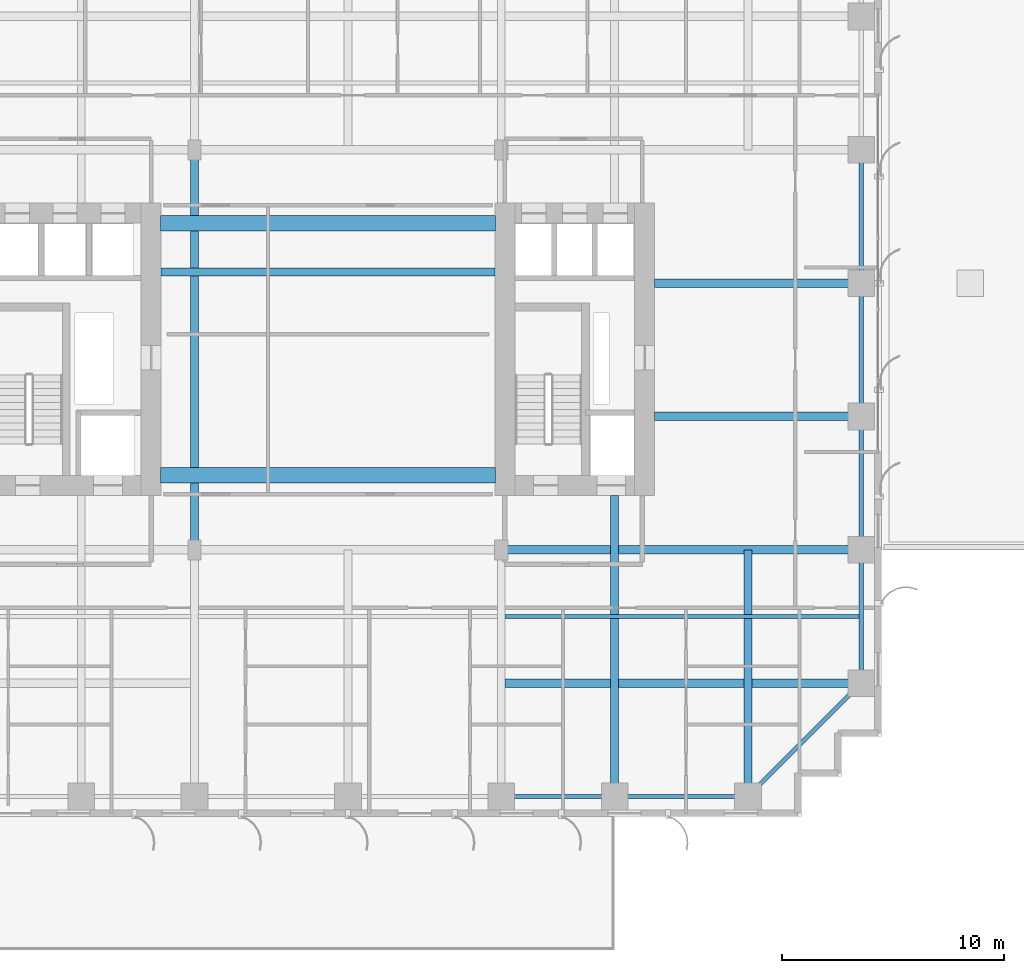
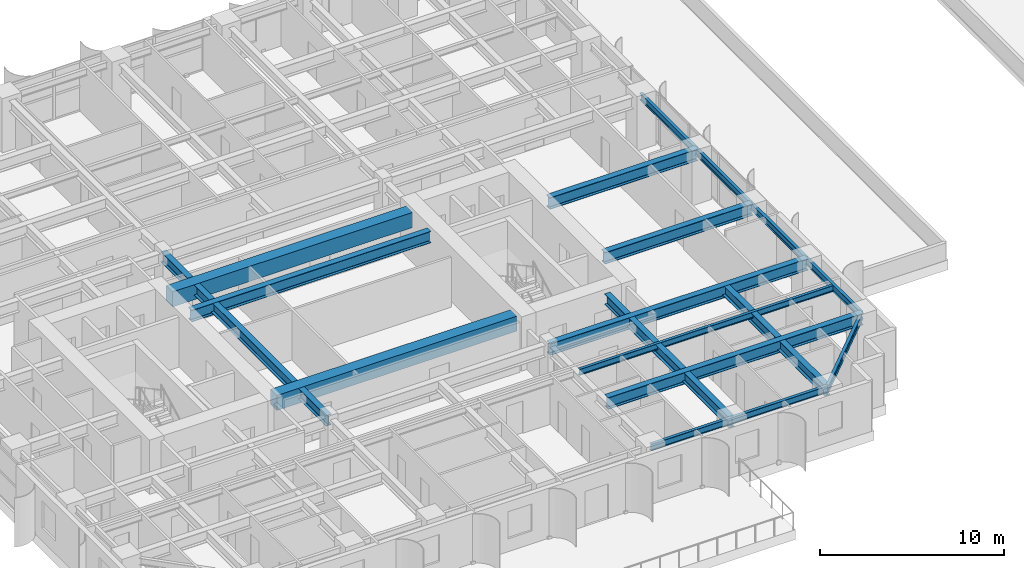
# One storey, part 3 of 21: 18 beams.
"""IFC4 building model written with IfcOpenShell, lengths in metres."""

import ifcopenshell
import ifcopenshell.guid

model = None  # the IFC model being written
_history = None  # IfcOwnerHistory: only IFC2X3 demands one
_inside = {}  # id of a spatial element -> (the spatial element, [elements in it])
_under = {}  # id of a project, library or spatial element -> (it, [spatial elements below it])
_declared = {}  # id of a project -> (the project, [libraries it declares])
_typed = {}  # id of a type object -> (the type object, [elements of that type])
_made_of = {}  # id of a material, layer set ... -> (it, [elements and type objects made of it])


def new_model(schema):
    """Start an empty IFC model of exactly this schema.

    Asked for "IFC4X3", IfcOpenShell would pick the latest addendum, in which some entities
    have other attributes; the version numbers below select the first issue.
    IFC2X3 requires an IfcOwnerHistory on every rooted entity: one is made here for all.
    """
    global model, _history
    if schema == "IFC4X3":
        model = ifcopenshell.file(schema_version=(4, 3, 0, 0))
    else:
        model = ifcopenshell.file(schema=schema)
    _inside.clear()
    _under.clear()
    _declared.clear()
    _typed.clear()
    _made_of.clear()
    _history = None
    if model.schema == "IFC2X3":
        org = make("IfcOrganization", Name="unknown")
        user = make(
            "IfcPersonAndOrganization",
            ThePerson=make("IfcPerson", FamilyName="unknown"),
            TheOrganization=org,
        )
        app = make(
            "IfcApplication",
            ApplicationDeveloper=org,
            Version="unknown",
            ApplicationFullName="unknown",
            ApplicationIdentifier="unknown",
        )
        _history = make(
            "IfcOwnerHistory",
            OwningUser=user,
            OwningApplication=app,
            ChangeAction="ADDED",
            CreationDate=0,
        )
    return model


def make(cls, **values):
    """One entity of the class cls with the attributes given. An attribute that is None is left unset."""
    return model.create_entity(
        cls, **{name: value for name, value in values.items() if value is not None}
    )


def rooted(cls, **values):
    """An entity with a GlobalId (a new one), such as an element, a storey or a relation."""
    return make(cls, GlobalId=ifcopenshell.guid.new(), OwnerHistory=_history, **values)


def si_unit(unit_type, name, prefix=None):
    """IfcSIUnit, for example si_unit("LENGTHUNIT", "METRE", prefix="MILLI")."""
    return make("IfcSIUnit", UnitType=unit_type, Prefix=prefix, Name=name)


def assignment(units):
    """IfcUnitAssignment: the units of a project."""
    return None if units is None else make("IfcUnitAssignment", Units=units)


def point(xyz):
    """IfcCartesianPoint."""
    return None if xyz is None else make("IfcCartesianPoint", Coordinates=xyz)


def direction(xyz):
    """IfcDirection."""
    return None if xyz is None else make("IfcDirection", DirectionRatios=xyz)


def frame(location, z_axis=None, x_axis=None):
    """IfcAxis2Placement3D, a coordinate frame: its origin and axes. An axis left out is left unset."""
    return make(
        "IfcAxis2Placement3D",
        Location=point(location),
        Axis=direction(z_axis),
        RefDirection=direction(x_axis),
    )


def frame_2d(location, x_axis=None):
    """IfcAxis2Placement2D, a coordinate frame in the plane: its origin and x axis."""
    return make(
        "IfcAxis2Placement2D", Location=point(location), RefDirection=direction(x_axis)
    )


def origin():
    """The frame at (0, 0, 0) with its axes left unset."""
    return frame((0.0, 0.0, 0.0))


def origin_2d():
    """The frame at (0, 0) in the plane with its x axis left unset."""
    return frame_2d((0.0, 0.0))


def place(relative_to, where):
    """IfcLocalPlacement: puts the frame where relative to a parent placement (None: the world)."""
    return make(
        "IfcLocalPlacement", PlacementRelTo=relative_to, RelativePlacement=where
    )


def context(
    kind, dimensions, precision=None, world=None, true_north=None, identifier=None
):
    """IfcGeometricRepresentationContext, for example the 3D "Model" context."""
    return make(
        "IfcGeometricRepresentationContext",
        ContextIdentifier=identifier,
        ContextType=kind,
        CoordinateSpaceDimension=dimensions,
        Precision=precision,
        WorldCoordinateSystem=world,
        TrueNorth=true_north,
    )


def subcontext(parent, identifier, kind, view, scale=None):
    """IfcGeometricRepresentationSubContext, for example "Body" below "Model"."""
    return make(
        "IfcGeometricRepresentationSubContext",
        ContextIdentifier=identifier,
        ContextType=kind,
        ParentContext=parent,
        TargetScale=scale,
        TargetView=view,
    )


def project(units=None, contexts=None):
    """IfcProject with its units and contexts."""
    return rooted(
        "IfcProject",
        Name="project",
        RepresentationContexts=contexts,
        UnitsInContext=assignment(units),
    )


def spatial(cls, under=None, at=None, **own):
    """A site, building, storey or space (cls), placed at a placement, below another one or the project."""
    s = rooted(cls, ObjectPlacement=at, **own)
    if under is not None:
        _under.setdefault(under.id(), (under, []))[1].append(s)
    return s


def profile(cls, at=None, kind="AREA", **sizes):
    """A parametric profile (cls). Its sizes go by their IFC names, for example OverallWidth=200.0."""
    return make(cls, ProfileType=kind, Position=at, **sizes)


def rectangle(**sizes):
    """IfcRectangleProfileDef."""
    return profile("IfcRectangleProfileDef", **sizes)


def i_section(**sizes):
    """IfcIShapeProfileDef."""
    return profile("IfcIShapeProfileDef", **sizes)


def extrude(swept, where, along, depth):
    """IfcExtrudedAreaSolid: the profile swept, set in the frame where, extruded along a direction by depth."""
    return make(
        "IfcExtrudedAreaSolid",
        SweptArea=swept,
        Position=where,
        ExtrudedDirection=direction(along),
        Depth=depth,
    )


def shape(context_of_items, identifier, shape_type, items):
    """IfcShapeRepresentation: the items that make up one representation, for example the "Body"."""
    return make(
        "IfcShapeRepresentation",
        ContextOfItems=context_of_items,
        RepresentationIdentifier=identifier,
        RepresentationType=shape_type,
        Items=items,
    )


def source(mapping_origin, context_of_items, identifier, shape_type, items):
    """IfcRepresentationMap: a shape defined once, which mapped items show again and again."""
    return make(
        "IfcRepresentationMap",
        MappingOrigin=mapping_origin,
        MappedRepresentation=shape(context_of_items, identifier, shape_type, items),
    )


def transform(
    local_origin,
    x_axis=None,
    y_axis=None,
    z_axis=None,
    scale=None,
    scale2=None,
    scale3=None,
    uniform=True,
):
    """IfcCartesianTransformationOperator3D, or its non-uniform kind. x_axis, y_axis, z_axis: its Axis1, 2, 3."""
    if uniform:
        return make(
            "IfcCartesianTransformationOperator3D",
            Axis1=direction(x_axis),
            Axis2=direction(y_axis),
            LocalOrigin=point(local_origin),
            Scale=scale,
            Axis3=direction(z_axis),
        )
    return make(
        "IfcCartesianTransformationOperator3DnonUniform",
        Axis1=direction(x_axis),
        Axis2=direction(y_axis),
        LocalOrigin=point(local_origin),
        Scale=scale,
        Axis3=direction(z_axis),
        Scale2=scale2,
        Scale3=scale3,
    )


def mapped(mapping_source, mapping_target):
    """IfcMappedItem: shows the shape of a source again, moved by a transform."""
    return make(
        "IfcMappedItem", MappingSource=mapping_source, MappingTarget=mapping_target
    )


def material(Name=None, Category=None):
    """IfcMaterial."""
    return make("IfcMaterial", Name=Name, Category=Category)


def material_profile(
    of_material, cross_section, Name=None, Category=None, Priority=None
):
    """IfcMaterialProfile: a cross section and its material."""
    return make(
        "IfcMaterialProfile",
        Name=Name,
        Material=of_material,
        Profile=cross_section,
        Priority=Priority,
        Category=Category,
    )


def profile_set(profiles, Name=None, composite=None):
    """IfcMaterialProfileSet."""
    return make(
        "IfcMaterialProfileSet",
        Name=Name,
        MaterialProfiles=profiles,
        CompositeProfile=composite,
    )


def made_of(thing, what):
    """Note that an element or type object is made of a material, layer set ...; save() writes the relation."""
    if what is not None:
        _made_of.setdefault(what.id(), (what, []))[1].append(thing)
    return thing


def type_object(cls, material=None, **own):
    """A type object (cls), such as IfcWallType, which elements share."""
    return made_of(rooted(cls, **own), material)


def element(
    cls,
    number,
    at=None,
    inside=None,
    cuts=None,
    type_object=None,
    material=None,
    context=None,
    identifier="Body",
    shape_type=None,
    held_by="IfcProductDefinitionShape",
    body=None,
    shapes=None,
    **own,
):
    """One element of the class cls, such as IfcWall. Its Tag is "e" and its number.

    at: its placement. inside: the storey or other place that contains it. cuts: it is an
    opening in that element (IfcRelVoidsElement). A single representation is given by context,
    identifier, shape_type and body (its items); several are given by shapes. held_by: the class
    of the entity that holds the representations. save() writes the other relations.
    """
    e = rooted(cls, Tag="e%d" % number, ObjectPlacement=at, **own)
    if body is not None:
        shapes = [shape(context, identifier, shape_type, body)]
    if shapes is not None:
        e.Representation = make(held_by, Representations=shapes)
    if inside is not None:
        _inside.setdefault(inside.id(), (inside, []))[1].append(e)
    if cuts is not None:
        rooted(
            "IfcRelVoidsElement", RelatingBuildingElement=cuts, RelatedOpeningElement=e
        )
    if type_object is not None:
        _typed.setdefault(type_object.id(), (type_object, []))[1].append(e)
    return made_of(e, material)


def aggregate(whole, parts):
    """IfcRelAggregates: a whole, such as a stair, and the parts it consists of."""
    return rooted("IfcRelAggregates", RelatingObject=whole, RelatedObjects=parts)


def save(model, path):
    """Write the relations noted so far, then the file.

    IfcRelAggregates (storeys below a building ...), IfcRelContainedInSpatialStructure (elements
    in a storey), IfcRelDefinesByType, IfcRelAssociatesMaterial and IfcRelDeclares: one each for
    every whole, place, type object, material and project.
    """
    for whole, parts in _under.values():
        aggregate(whole, parts)
    for where, things in _inside.values():
        rooted(
            "IfcRelContainedInSpatialStructure",
            RelatedElements=things,
            RelatingStructure=where,
        )
    for kind, things in _typed.values():
        rooted("IfcRelDefinesByType", RelatedObjects=things, RelatingType=kind)
    for what, things in _made_of.values():
        rooted("IfcRelAssociatesMaterial", RelatedObjects=things, RelatingMaterial=what)
    for by, libraries in _declared.values():
        rooted("IfcRelDeclares", RelatingContext=by, RelatedDefinitions=libraries)
    model.write(path)


model = new_model("IFC4")

# Units and contexts
model_context = context("Model", 3, precision=1e-05, world=origin(), true_north=direction((0.0, 1.0)))
body_context = subcontext(model_context, "Body", "Model", "MODEL_VIEW")
ifc_project = project(units=[si_unit("LENGTHUNIT", "METRE"), si_unit("AREAUNIT", "SQUARE_METRE"), si_unit("VOLUMEUNIT", "CUBIC_METRE"), si_unit("PLANEANGLEUNIT", "RADIAN"), si_unit("MASSUNIT", "GRAM", prefix="KILO")], contexts=[model_context])

# Site, building, storey
site_placement = place(None, origin())
site = spatial("IfcSite", under=ifc_project, at=site_placement, CompositionType="ELEMENT")
building_placement = place(site_placement, origin())
building = spatial("IfcBuilding", under=site, at=building_placement, Name="Khoralis Quay Care Tower", CompositionType="ELEMENT")
storey_placement = place(building_placement, frame((0.0, 0.0, 22.5)))
storey = spatial("IfcBuildingStorey", under=building, at=storey_placement, Name="L05", CompositionType="ELEMENT", Elevation=22.5)

# Beams
ifc_material_1 = material(Name="Concrete C80/95", Category="concrete")
ifc_material_profile_1 = material_profile(ifc_material_1, rectangle(XDim=0.699951171875, YDim=1.0, at=origin_2d()), Name="Concrete C80/95")
ifc_profile_set_1 = profile_set([ifc_material_profile_1], Name="Concrete C80/95")
beam_type_1 = type_object("IfcBeamType", Name="CB-RC700X1000", PredefinedType="LINTEL", material=ifc_profile_set_1)
shared_shape_1 = source(origin(), body_context, "Body", "SweptSolid", [
    extrude(rectangle(XDim=0.699951171875, YDim=1.0, at=origin_2d()), origin(), (0.0, 0.0, 1.0), 15.079833984375),
])
for number, where, z_axis, x_axis, name in (
    (1, (15.570068359375, 15.35009765625, 2.820068359375), (1.0, 0.0, 0.0), (0.0, 1.0, 0.0), "L05 South Core Coupling Lintel"),
    (2, (15.570068359375, 26.699951171875, 2.820068359375), (1.0, 0.0, 0.0), (0.0, 1.0, 0.0), "L05 North Core Coupling Lintel"),
):
    element("IfcBeam", number, at=place(storey_placement, frame(where, z_axis=z_axis, x_axis=x_axis)), inside=storey, type_object=beam_type_1, Name=name, PredefinedType="LINTEL", context=body_context, shape_type="MappedRepresentation", body=[
        mapped(shared_shape_1, transform((0.0, 0.0, 0.0), scale=1.0)),
    ])
ifc_material_2 = material(Name="Steel S355", Category="steel")
ifc_material_profile_2 = material_profile(ifc_material_2, i_section(OverallWidth=0.18994140625, OverallDepth=0.449951171875, WebThickness=0.009521484375, FlangeThickness=0.0146484375, FilletRadius=0.02099609375, at=origin_2d()), Name="Steel S355")
ifc_profile_set_2 = profile_set([ifc_material_profile_2], Name="Steel S355")
beam_type_2 = type_object("IfcBeamType", Name="BM-IPE450", PredefinedType="SPANDREL", material=ifc_profile_set_2)
shared_shape_2 = source(origin(), body_context, "Body", "SweptSolid", [
    extrude(i_section(OverallWidth=0.18994140625, OverallDepth=0.449951171875, WebThickness=0.009521484375, FlangeThickness=0.0146484375, FilletRadius=0.02099609375, at=origin_2d()), origin(), (0.0, 0.0, 1.0), 6.0),
])
for number, where, z_axis, x_axis, name in (
    (3, (36.0, 0.89990234375, 3.094970703125), (1.0, 0.0, 0.0), (0.0, 1.0, 0.0), "BM-TSP-L05-06"),
    (4, (47.10009765625, 6.0, 3.094970703125), (0.0, 1.0, 0.0), (-1.0, 0.0, 0.0), "BM-TSP-L05-19"),
    (5, (47.10009765625, 12.0, 3.094970703125), (0.0, 1.0, 0.0), (-1.0, 0.0, 0.0), "BM-TSP-L05-20"),
    (6, (47.10009765625, 18.0, 3.094970703125), (0.0, 1.0, 0.0), (-1.0, 0.0, 0.0), "BM-TSP-L05-21"),
    (7, (47.10009765625, 24.0, 3.094970703125), (0.0, 1.0, 0.0), (-1.0, 0.0, 0.0), "BM-TSP-L05-22"),
):
    element("IfcBeam", number, at=place(storey_placement, frame(where, z_axis=z_axis, x_axis=x_axis)), inside=storey, type_object=beam_type_2, Name=name, PredefinedType="SPANDREL", context=body_context, shape_type="MappedRepresentation", body=[
        mapped(shared_shape_2, transform((0.0, 0.0, 0.0), scale=1.0)),
    ])
shared_shape_3 = source(origin(), body_context, "Body", "SweptSolid", [
    extrude(i_section(OverallWidth=0.18994140625, OverallDepth=0.449951171875, WebThickness=0.009521484375, FlangeThickness=0.0146484375, FilletRadius=0.02099609375, at=origin_2d()), origin(), (0.0, 0.0, 1.0), 5.10009765625),
])
beam_1_placement = place(storey_placement, frame((30.89990234375, 0.89990234375, 3.094970703125), z_axis=(1.0, 0.0, 0.0), x_axis=(0.0, 1.0, 0.0)))
element("IfcBeam", 8, at=beam_1_placement, inside=storey, type_object=beam_type_2, Name="BM-TSP-L05-05", PredefinedType="SPANDREL", context=body_context, shape_type="MappedRepresentation", body=[
    mapped(shared_shape_3, transform((0.0, 0.0, 0.0), scale=1.0)),
])
shared_shape_4 = source(origin(), body_context, "Body", "SweptSolid", [
    extrude(i_section(OverallWidth=0.18994140625, OverallDepth=0.449951171875, WebThickness=0.009521484375, FlangeThickness=0.0146484375, FilletRadius=0.02099609375, at=origin_2d()), origin(), (0.0, 0.0, 1.0), 7.212646484375),
])
beam_2_placement = place(storey_placement, frame((42.0, 0.89990234375, 3.094970703125), z_axis=(0.707106781187, 0.707106781187, 0.0), x_axis=(-0.707106781187, 0.707106781187, 0.0)))
element("IfcBeam", 9, at=beam_2_placement, inside=storey, type_object=beam_type_2, Name="BM-TCR-L05-26", PredefinedType="SPANDREL", context=body_context, shape_type="MappedRepresentation", body=[
    mapped(shared_shape_4, transform((0.0, 0.0, 0.0), scale=1.0)),
])
ifc_material_profile_3 = material_profile(ifc_material_2, i_section(OverallWidth=0.381103515625, OverallDepth=0.77294921875, WebThickness=0.0166015625, FlangeThickness=0.027587890625, FilletRadius=0.02197265625, at=origin_2d()), Name="Steel S355")
ifc_profile_set_3 = profile_set([ifc_material_profile_3], Name="Steel S355")
beam_type_3 = type_object("IfcBeamType", Name="BM-W760X257", PredefinedType="BEAM", material=ifc_profile_set_3)
shared_shape_5 = source(origin(), body_context, "Body", "SweptSolid", [
    extrude(i_section(OverallWidth=0.381103515625, OverallDepth=0.77294921875, WebThickness=0.0166015625, FlangeThickness=0.027587890625, FilletRadius=0.02197265625, at=origin_2d()), origin(), (0.0, 0.0, 1.0), 16.03466796875),
])
beam_3_placement = place(storey_placement, frame((31.0654296875, 6.0, 2.93359375), z_axis=(1.0, 0.0, 0.0), x_axis=(0.0, 1.0, 0.0)))
element("IfcBeam", 10, at=beam_3_placement, inside=storey, type_object=beam_type_3, Name="BM-TGXE-L05-60", PredefinedType="BEAM", context=body_context, shape_type="MappedRepresentation", body=[
    mapped(shared_shape_5, transform((0.0, 0.0, 0.0), scale=1.0)),
])
shared_shape_6 = source(origin(), body_context, "Body", "SweptSolid", [
    extrude(i_section(OverallWidth=0.381103515625, OverallDepth=0.77294921875, WebThickness=0.0166015625, FlangeThickness=0.027587890625, FilletRadius=0.02197265625, at=origin_2d()), origin(), (0.0, 0.0, 1.0), 16.2001953125),
])
beam_4_placement = place(storey_placement, frame((30.89990234375, 12.0, 2.93359375), z_axis=(1.0, 0.0, 0.0), x_axis=(0.0, 1.0, 0.0)))
element("IfcBeam", 11, at=beam_4_placement, inside=storey, type_object=beam_type_3, Name="BM-TGXE-L05-120", PredefinedType="BEAM", context=body_context, shape_type="MappedRepresentation", body=[
    mapped(shared_shape_6, transform((0.0, 0.0, 0.0), scale=1.0)),
])
shared_shape_7 = source(origin(), body_context, "Body", "SweptSolid", [
    extrude(i_section(OverallWidth=0.381103515625, OverallDepth=0.77294921875, WebThickness=0.0166015625, FlangeThickness=0.027587890625, FilletRadius=0.02197265625, at=origin_2d()), origin(), (0.0, 0.0, 1.0), 9.302001953125),
])
for number, where, z_axis, x_axis, name in (
    (12, (37.798095703125, 18.0, 2.93359375), (1.0, 0.0, 0.0), (0.0, 1.0, 0.0), "BM-TGXE-L05-180"),
    (13, (37.798095703125, 24.0, 2.93359375), (1.0, 0.0, 0.0), (0.0, 1.0, 0.0), "BM-TGXE-L05-240"),
):
    element("IfcBeam", number, at=place(storey_placement, frame(where, z_axis=z_axis, x_axis=x_axis)), inside=storey, type_object=beam_type_3, Name=name, PredefinedType="BEAM", context=body_context, shape_type="MappedRepresentation", body=[
        mapped(shared_shape_7, transform((0.0, 0.0, 0.0), scale=1.0)),
    ])
shared_shape_8 = source(origin(), body_context, "Body", "SweptSolid", [
    extrude(i_section(OverallWidth=0.381103515625, OverallDepth=0.77294921875, WebThickness=0.0166015625, FlangeThickness=0.027587890625, FilletRadius=0.02197265625, at=origin_2d()), origin(), (0.0, 0.0, 1.0), 15.024169921875),
])
beam_5_placement = place(storey_placement, frame((15.597900390625, 24.5, 2.93359375), z_axis=(1.0, 0.0, 0.0), x_axis=(0.0, 1.0, 0.0)))
element("IfcBeam", 14, at=beam_5_placement, inside=storey, type_object=beam_type_3, Name="BM-TGCC-L05-245", PredefinedType="BEAM", context=body_context, shape_type="MappedRepresentation", body=[
    mapped(shared_shape_8, transform((0.0, 0.0, 0.0), scale=1.0)),
])
ifc_material_profile_4 = material_profile(ifc_material_2, i_section(OverallWidth=0.35498046875, OverallDepth=0.695068359375, WebThickness=0.015380859375, FlangeThickness=0.02490234375, FilletRadius=0.02001953125, at=origin_2d()), Name="Steel S355")
ifc_profile_set_4 = profile_set([ifc_material_profile_4], Name="Steel S355")
beam_type_4 = type_object("IfcBeamType", Name="BM-W690X217", PredefinedType="BEAM", material=ifc_profile_set_4)
shared_shape_9 = source(origin(), body_context, "Body", "SweptSolid", [
    extrude(i_section(OverallWidth=0.35498046875, OverallDepth=0.695068359375, WebThickness=0.015380859375, FlangeThickness=0.02490234375, FilletRadius=0.02001953125, at=origin_2d()), origin(), (0.0, 0.0, 1.0), 11.10009765625),
])
beam_6_placement = place(storey_placement, frame((42.0, 0.89990234375, 2.972412109375), z_axis=(0.0, 1.0, 0.0), x_axis=(-1.0, 0.0, 0.0)))
element("IfcBeam", 15, at=beam_6_placement, inside=storey, type_object=beam_type_4, Name="BM-TGYS-L05-420", PredefinedType="BEAM", context=body_context, shape_type="MappedRepresentation", body=[
    mapped(shared_shape_9, transform((0.0, 0.0, 0.0), scale=1.0)),
])
shared_shape_10 = source(origin(), body_context, "Body", "SweptSolid", [
    extrude(i_section(OverallWidth=0.35498046875, OverallDepth=0.695068359375, WebThickness=0.015380859375, FlangeThickness=0.02490234375, FilletRadius=0.02001953125, at=origin_2d()), origin(), (0.0, 0.0, 1.0), 13.552001953125),
])
beam_7_placement = place(storey_placement, frame((36.0, 0.89990234375, 2.972412109375), z_axis=(0.0, 1.0, 0.0), x_axis=(-1.0, 0.0, 0.0)))
element("IfcBeam", 16, at=beam_7_placement, inside=storey, type_object=beam_type_4, Name="BM-TGYS-L05-360", PredefinedType="BEAM", context=body_context, shape_type="MappedRepresentation", body=[
    mapped(shared_shape_10, transform((0.0, 0.0, 0.0), scale=1.0)),
])
shared_shape_11 = source(origin(), body_context, "Body", "SweptSolid", [
    extrude(i_section(OverallWidth=0.35498046875, OverallDepth=0.695068359375, WebThickness=0.015380859375, FlangeThickness=0.02490234375, FilletRadius=0.02001953125, at=origin_2d()), origin(), (0.0, 0.0, 1.0), 18.0),
])
beam_8_placement = place(storey_placement, frame((17.10009765625, 12.0, 2.972412109375), z_axis=(0.0, 1.0, 0.0), x_axis=(-1.0, 0.0, 0.0)))
element("IfcBeam", 17, at=beam_8_placement, inside=storey, type_object=beam_type_4, Name="BM-TGSW-L05", PredefinedType="BEAM", context=body_context, shape_type="MappedRepresentation", body=[
    mapped(shared_shape_11, transform((0.0, 0.0, 0.0), scale=1.0)),
])
ifc_material_profile_5 = material_profile(ifc_material_2, i_section(OverallWidth=0.177978515625, OverallDepth=0.406982421875, WebThickness=0.0078125, FlangeThickness=0.0126953125, FilletRadius=0.012939453125, at=origin_2d()), Name="Steel S355")
ifc_profile_set_5 = profile_set([ifc_material_profile_5], Name="Steel S355")
beam_type_5 = type_object("IfcBeamType", Name="BM-W410X60", PredefinedType="JOIST", material=ifc_profile_set_5)
shared_shape_12 = source(origin(), body_context, "Body", "SweptSolid", [
    extrude(i_section(OverallWidth=0.177978515625, OverallDepth=0.406982421875, WebThickness=0.0078125, FlangeThickness=0.0126953125, FilletRadius=0.012939453125, at=origin_2d()), origin(), (0.0, 0.0, 1.0), 15.95361328125),
])
beam_9_placement = place(storey_placement, frame((31.0654296875, 9.0, 3.116455078125), z_axis=(1.0, 0.0, 0.0), x_axis=(0.0, 1.0, 0.0)))
element("IfcBeam", 18, at=beam_9_placement, inside=storey, type_object=beam_type_5, Name="BM-TJS-L05-30", PredefinedType="JOIST", context=body_context, shape_type="MappedRepresentation", body=[
    mapped(shared_shape_12, transform((0.0, 0.0, 0.0), scale=1.0)),
])

save(model, "model.ifc")
